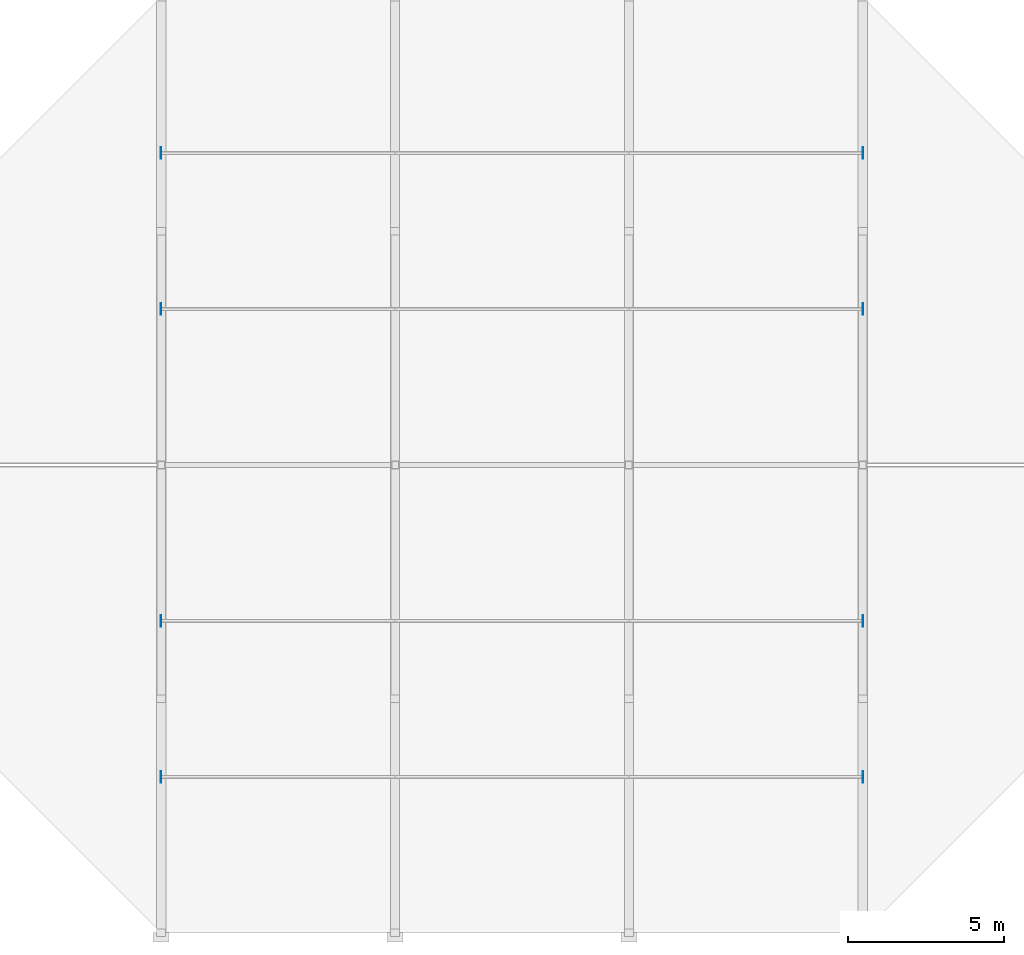
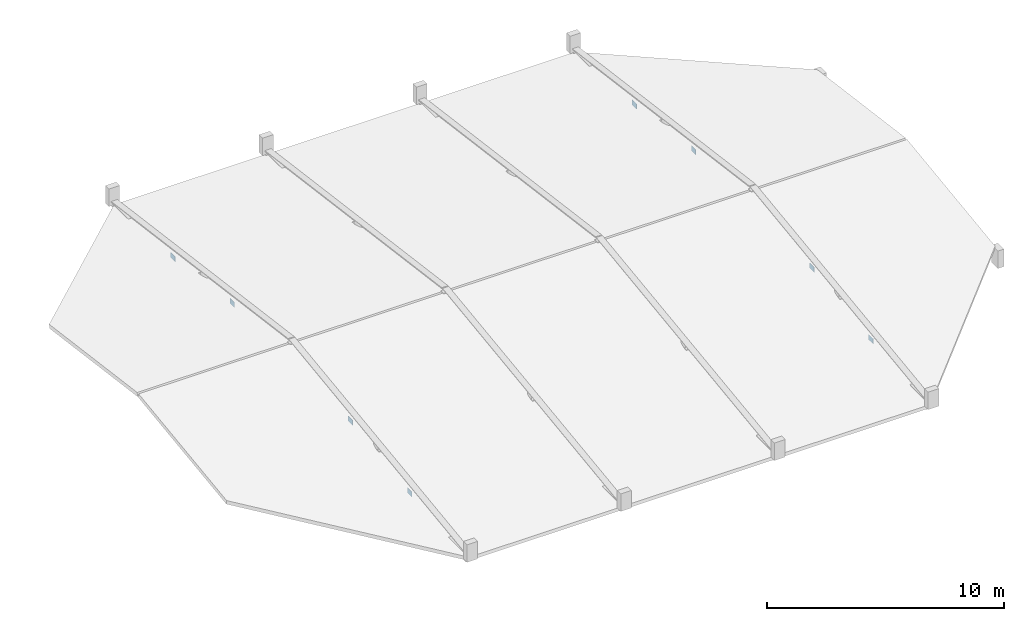
# One storey, part 74 of 101: 8 plates.
"""IFC4 building model written with IfcOpenShell, lengths in metres."""

from ifc_helpers import new_model, si_unit, direction, frame, origin, origin_2d, place, context, subcontext, project, spatial, rectangle, extrude, material, layer, layer_set, type_object, element, save


model = new_model("IFC4")

# Units and contexts
model_context = context("Model", 3, precision=1e-05, world=origin(), true_north=direction((0.0, 1.0)))
body_context = subcontext(model_context, "Body", "Model", "MODEL_VIEW")
ifc_project = project(units=[si_unit("LENGTHUNIT", "METRE"), si_unit("AREAUNIT", "SQUARE_METRE"), si_unit("VOLUMEUNIT", "CUBIC_METRE"), si_unit("PLANEANGLEUNIT", "RADIAN"), si_unit("MASSUNIT", "GRAM", prefix="KILO")], contexts=[model_context])

# Site, building, storey
site_placement = place(None, origin())
site = spatial("IfcSite", under=ifc_project, at=site_placement, CompositionType="ELEMENT")
building_placement = place(site_placement, origin())
building = spatial("IfcBuilding", under=site, at=building_placement, Name="Qasida Concert Hall", CompositionType="ELEMENT")
storey_placement = place(building_placement, frame((0.0, 0.0, 13.199951171875)))
storey = spatial("IfcBuildingStorey", under=building, at=storey_placement, Name="L03", CompositionType="ELEMENT", Elevation=13.199951171875)

# Plates
ifc_material = material(Name="Steel S355J2", Category="steel")
ifc_layer = layer(ifc_material, 0.01611328125, Name="Steel S355J2")
ifc_layer_set = layer_set([ifc_layer], Name="Steel S355J2")
plate_type = type_object("IfcPlateType", Name="PLT-PL-EC3", PredefinedType="SHEET", material=ifc_layer_set)
for number, where, z_axis, x_axis, name in (
    (1, (134.991943359375, 5.0, 0.19677734375), (0.0, 0.0, 1.0), (1.0, 0.0, 0.0), "Chamber purlin end cap plate V2EC-0063"),
    (2, (157.508056640625, 5.0, 0.19677734375), (0.0, 0.0, 1.0), (1.0, 0.0, 0.0), "Chamber purlin end cap plate V2EC-0064"),
    (3, (134.991943359375, 10.0, 0.86328125), (0.0, 0.0, 1.0), (1.0, 0.0, 0.0), "Chamber purlin end cap plate V2EC-0065"),
    (4, (157.508056640625, 10.0, 0.86328125), (0.0, 0.0, 1.0), (1.0, 0.0, 0.0), "Chamber purlin end cap plate V2EC-0066"),
    (5, (134.991943359375, 20.0, 0.86328125), (0.0, 0.0, 1.0), (1.0, 0.0, 0.0), "Chamber purlin end cap plate V2EC-0067"),
    (6, (157.508056640625, 20.0, 0.86328125), (0.0, 0.0, 1.0), (1.0, 0.0, 0.0), "Chamber purlin end cap plate V2EC-0068"),
    (7, (134.991943359375, 25.0, 0.19677734375), (0.0, 0.0, 1.0), (1.0, 0.0, 0.0), "Chamber purlin end cap plate V2EC-0069"),
    (8, (157.508056640625, 25.0, 0.19677734375), (0.0, 0.0, 1.0), (1.0, 0.0, 0.0), "Chamber purlin end cap plate V2EC-0070"),
):
    element("IfcPlate", number, at=place(storey_placement, frame(where, z_axis=z_axis, x_axis=x_axis)), inside=storey, type_object=plate_type, Name=name, PredefinedType="SHEET", context=body_context, shape_type="SweptSolid", body=[
        extrude(rectangle(XDim=0.01611328125, YDim=0.3798828125, at=origin_2d()), origin(), (0.0, 0.0, 1.0), 0.260009765625),
    ])

save(model, "model.ifc")
